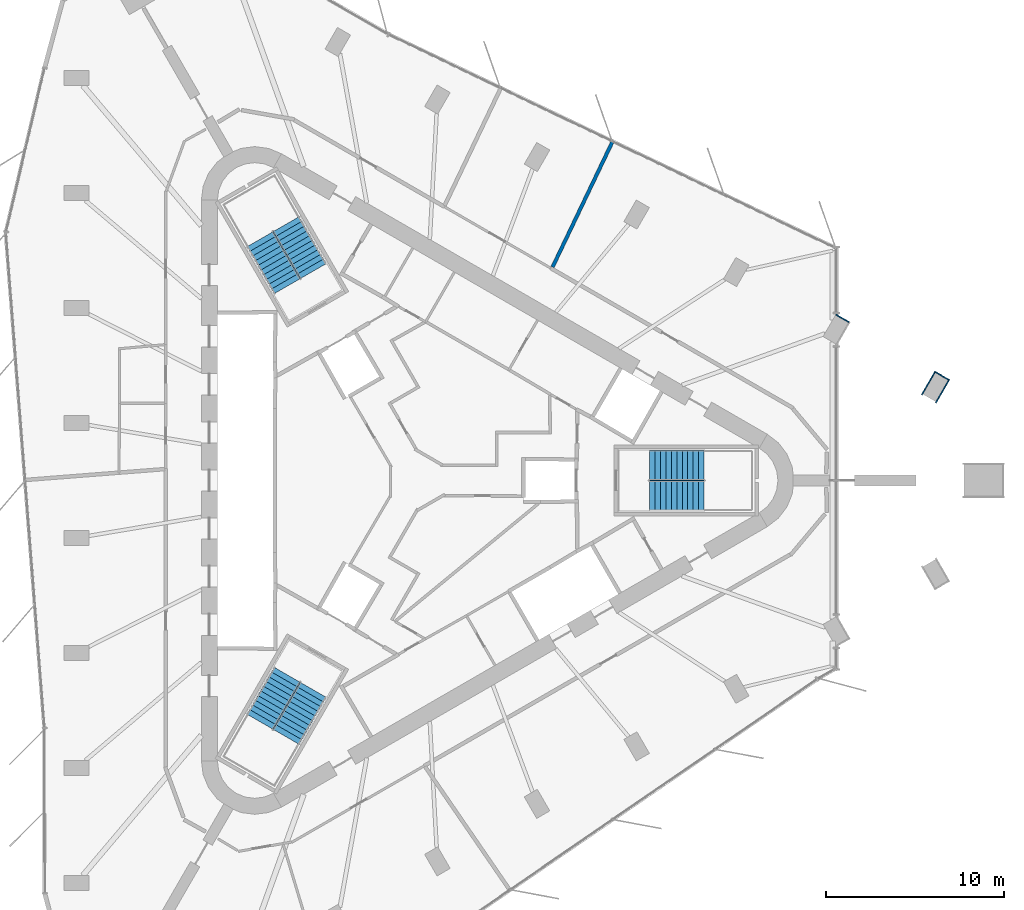
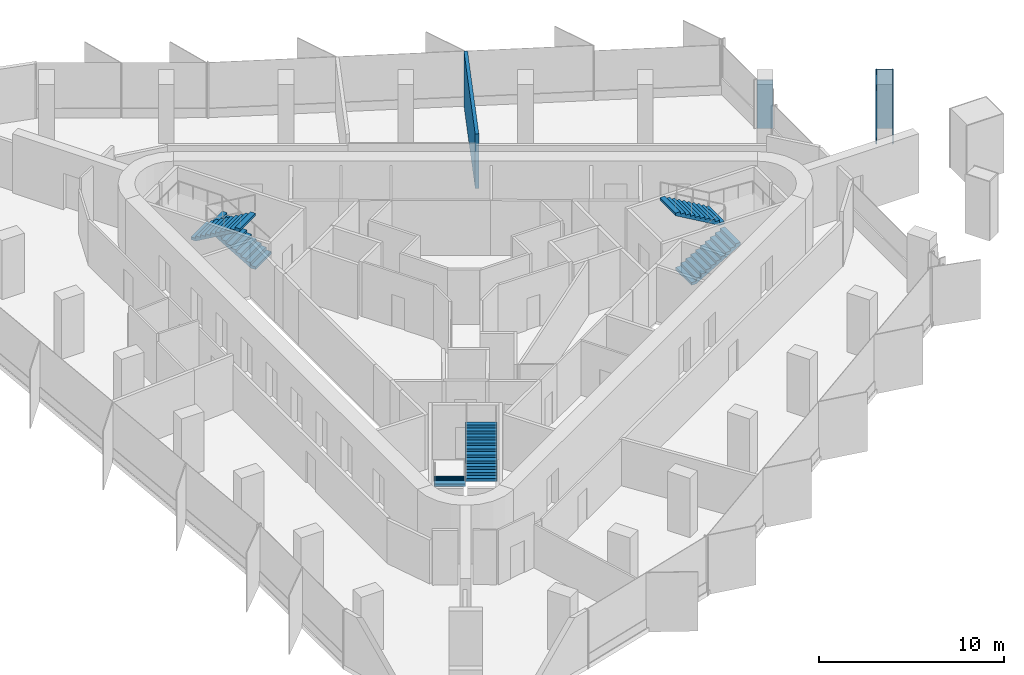
# One storey, part 11 of 12: 6 stair flights, 5 walls, 3 elements without a shape of their own.
"""IFC4 building model written with IfcOpenShell, lengths in metres."""

import ifcopenshell
import ifcopenshell.guid

model = None  # the IFC model being written
_history = None  # IfcOwnerHistory: only IFC2X3 demands one
_inside = {}  # id of a spatial element -> (the spatial element, [elements in it])
_under = {}  # id of a project, library or spatial element -> (it, [spatial elements below it])
_declared = {}  # id of a project -> (the project, [libraries it declares])
_typed = {}  # id of a type object -> (the type object, [elements of that type])
_made_of = {}  # id of a material, layer set ... -> (it, [elements and type objects made of it])


def new_model(schema):
    """Start an empty IFC model of exactly this schema.

    Asked for "IFC4X3", IfcOpenShell would pick the latest addendum, in which some entities
    have other attributes; the version numbers below select the first issue.
    IFC2X3 requires an IfcOwnerHistory on every rooted entity: one is made here for all.
    """
    global model, _history
    if schema == "IFC4X3":
        model = ifcopenshell.file(schema_version=(4, 3, 0, 0))
    else:
        model = ifcopenshell.file(schema=schema)
    _inside.clear()
    _under.clear()
    _declared.clear()
    _typed.clear()
    _made_of.clear()
    _history = None
    if model.schema == "IFC2X3":
        org = make("IfcOrganization", Name="unknown")
        user = make(
            "IfcPersonAndOrganization",
            ThePerson=make("IfcPerson", FamilyName="unknown"),
            TheOrganization=org,
        )
        app = make(
            "IfcApplication",
            ApplicationDeveloper=org,
            Version="unknown",
            ApplicationFullName="unknown",
            ApplicationIdentifier="unknown",
        )
        _history = make(
            "IfcOwnerHistory",
            OwningUser=user,
            OwningApplication=app,
            ChangeAction="ADDED",
            CreationDate=0,
        )
    return model


def make(cls, **values):
    """One entity of the class cls with the attributes given. An attribute that is None is left unset."""
    return model.create_entity(
        cls, **{name: value for name, value in values.items() if value is not None}
    )


def rooted(cls, **values):
    """An entity with a GlobalId (a new one), such as an element, a storey or a relation."""
    return make(cls, GlobalId=ifcopenshell.guid.new(), OwnerHistory=_history, **values)


def si_unit(unit_type, name, prefix=None):
    """IfcSIUnit, for example si_unit("LENGTHUNIT", "METRE", prefix="MILLI")."""
    return make("IfcSIUnit", UnitType=unit_type, Prefix=prefix, Name=name)


def assignment(units):
    """IfcUnitAssignment: the units of a project."""
    return None if units is None else make("IfcUnitAssignment", Units=units)


def point(xyz):
    """IfcCartesianPoint."""
    return None if xyz is None else make("IfcCartesianPoint", Coordinates=xyz)


def direction(xyz):
    """IfcDirection."""
    return None if xyz is None else make("IfcDirection", DirectionRatios=xyz)


def frame(location, z_axis=None, x_axis=None):
    """IfcAxis2Placement3D, a coordinate frame: its origin and axes. An axis left out is left unset."""
    return make(
        "IfcAxis2Placement3D",
        Location=point(location),
        Axis=direction(z_axis),
        RefDirection=direction(x_axis),
    )


def frame_2d(location, x_axis=None):
    """IfcAxis2Placement2D, a coordinate frame in the plane: its origin and x axis."""
    return make(
        "IfcAxis2Placement2D", Location=point(location), RefDirection=direction(x_axis)
    )


def origin():
    """The frame at (0, 0, 0) with its axes left unset."""
    return frame((0.0, 0.0, 0.0))


def place(relative_to, where):
    """IfcLocalPlacement: puts the frame where relative to a parent placement (None: the world)."""
    return make(
        "IfcLocalPlacement", PlacementRelTo=relative_to, RelativePlacement=where
    )


def context(
    kind, dimensions, precision=None, world=None, true_north=None, identifier=None
):
    """IfcGeometricRepresentationContext, for example the 3D "Model" context."""
    return make(
        "IfcGeometricRepresentationContext",
        ContextIdentifier=identifier,
        ContextType=kind,
        CoordinateSpaceDimension=dimensions,
        Precision=precision,
        WorldCoordinateSystem=world,
        TrueNorth=true_north,
    )


def subcontext(parent, identifier, kind, view, scale=None):
    """IfcGeometricRepresentationSubContext, for example "Body" below "Model"."""
    return make(
        "IfcGeometricRepresentationSubContext",
        ContextIdentifier=identifier,
        ContextType=kind,
        ParentContext=parent,
        TargetScale=scale,
        TargetView=view,
    )


def project(units=None, contexts=None):
    """IfcProject with its units and contexts."""
    return rooted(
        "IfcProject",
        Name="project",
        RepresentationContexts=contexts,
        UnitsInContext=assignment(units),
    )


def spatial(cls, under=None, at=None, **own):
    """A site, building, storey or space (cls), placed at a placement, below another one or the project."""
    s = rooted(cls, ObjectPlacement=at, **own)
    if under is not None:
        _under.setdefault(under.id(), (under, []))[1].append(s)
    return s


def polyline(points):
    """IfcPolyline through the points."""
    return make("IfcPolyline", Points=[point(p) for p in points])


def profile(cls, at=None, kind="AREA", **sizes):
    """A parametric profile (cls). Its sizes go by their IFC names, for example OverallWidth=200.0."""
    return make(cls, ProfileType=kind, Position=at, **sizes)


def rectangle(**sizes):
    """IfcRectangleProfileDef."""
    return profile("IfcRectangleProfileDef", **sizes)


def outline(outer, holes=None, kind="AREA"):
    """IfcArbitraryClosedProfileDef: a profile drawn as a closed curve; with holes, ...WithVoids."""
    if holes is None:
        return make("IfcArbitraryClosedProfileDef", ProfileType=kind, OuterCurve=outer)
    return make(
        "IfcArbitraryProfileDefWithVoids",
        ProfileType=kind,
        OuterCurve=outer,
        InnerCurves=holes,
    )


def extrude(swept, where, along, depth):
    """IfcExtrudedAreaSolid: the profile swept, set in the frame where, extruded along a direction by depth."""
    return make(
        "IfcExtrudedAreaSolid",
        SweptArea=swept,
        Position=where,
        ExtrudedDirection=direction(along),
        Depth=depth,
    )


def shape(context_of_items, identifier, shape_type, items):
    """IfcShapeRepresentation: the items that make up one representation, for example the "Body"."""
    return make(
        "IfcShapeRepresentation",
        ContextOfItems=context_of_items,
        RepresentationIdentifier=identifier,
        RepresentationType=shape_type,
        Items=items,
    )


def material(Name=None, Category=None):
    """IfcMaterial."""
    return make("IfcMaterial", Name=Name, Category=Category)


def layer(
    of_material, thickness, ventilated=None, Name=None, Category=None, Priority=None
):
    """IfcMaterialLayer: one layer of a wall or slab, of a material (None: an air gap)."""
    return make(
        "IfcMaterialLayer",
        Material=of_material,
        LayerThickness=thickness,
        IsVentilated=ventilated,
        Name=Name,
        Category=Category,
        Priority=Priority,
    )


def layer_set(layers, Name=None):
    """IfcMaterialLayerSet."""
    return make("IfcMaterialLayerSet", MaterialLayers=layers, LayerSetName=Name)


def made_of(thing, what):
    """Note that an element or type object is made of a material, layer set ...; save() writes the relation."""
    if what is not None:
        _made_of.setdefault(what.id(), (what, []))[1].append(thing)
    return thing


def type_object(cls, material=None, **own):
    """A type object (cls), such as IfcWallType, which elements share."""
    return made_of(rooted(cls, **own), material)


def element(
    cls,
    number,
    at=None,
    inside=None,
    cuts=None,
    type_object=None,
    material=None,
    context=None,
    identifier="Body",
    shape_type=None,
    held_by="IfcProductDefinitionShape",
    body=None,
    shapes=None,
    **own,
):
    """One element of the class cls, such as IfcWall. Its Tag is "e" and its number.

    at: its placement. inside: the storey or other place that contains it. cuts: it is an
    opening in that element (IfcRelVoidsElement). A single representation is given by context,
    identifier, shape_type and body (its items); several are given by shapes. held_by: the class
    of the entity that holds the representations. save() writes the other relations.
    """
    e = rooted(cls, Tag="e%d" % number, ObjectPlacement=at, **own)
    if body is not None:
        shapes = [shape(context, identifier, shape_type, body)]
    if shapes is not None:
        e.Representation = make(held_by, Representations=shapes)
    if inside is not None:
        _inside.setdefault(inside.id(), (inside, []))[1].append(e)
    if cuts is not None:
        rooted(
            "IfcRelVoidsElement", RelatingBuildingElement=cuts, RelatedOpeningElement=e
        )
    if type_object is not None:
        _typed.setdefault(type_object.id(), (type_object, []))[1].append(e)
    return made_of(e, material)


def aggregate(whole, parts):
    """IfcRelAggregates: a whole, such as a stair, and the parts it consists of."""
    return rooted("IfcRelAggregates", RelatingObject=whole, RelatedObjects=parts)


def save(model, path):
    """Write the relations noted so far, then the file.

    IfcRelAggregates (storeys below a building ...), IfcRelContainedInSpatialStructure (elements
    in a storey), IfcRelDefinesByType, IfcRelAssociatesMaterial and IfcRelDeclares: one each for
    every whole, place, type object, material and project.
    """
    for whole, parts in _under.values():
        aggregate(whole, parts)
    for where, things in _inside.values():
        rooted(
            "IfcRelContainedInSpatialStructure",
            RelatedElements=things,
            RelatingStructure=where,
        )
    for kind, things in _typed.values():
        rooted("IfcRelDefinesByType", RelatedObjects=things, RelatingType=kind)
    for what, things in _made_of.values():
        rooted("IfcRelAssociatesMaterial", RelatedObjects=things, RelatingMaterial=what)
    for by, libraries in _declared.values():
        rooted("IfcRelDeclares", RelatingContext=by, RelatedDefinitions=libraries)
    model.write(path)


model = new_model("IFC4")

# Units and contexts
model_context = context("Model", 3, precision=1e-05, world=origin(), true_north=direction((0.0, 1.0)))
body_context = subcontext(model_context, "Body", "Model", "MODEL_VIEW")
ifc_project = project(units=[si_unit("LENGTHUNIT", "METRE"), si_unit("AREAUNIT", "SQUARE_METRE"), si_unit("VOLUMEUNIT", "CUBIC_METRE"), si_unit("PLANEANGLEUNIT", "RADIAN"), si_unit("MASSUNIT", "GRAM", prefix="KILO")], contexts=[model_context])

# Site, building, storey
site_placement = place(None, origin())
site = spatial("IfcSite", under=ifc_project, at=site_placement, CompositionType="ELEMENT")
building_placement = place(site_placement, origin())
building = spatial("IfcBuilding", under=site, at=building_placement, Name="Tanit Gate Tower", CompositionType="ELEMENT")
storey_placement = place(building_placement, frame((0.0, 0.0, 372.800048828125)))
storey = spatial("IfcBuildingStorey", under=building, at=storey_placement, Name="L85", CompositionType="ELEMENT", Elevation=372.800048828125)

# Walls
ifc_material_1 = material(Name="Bronze anodised aluminium cladding", Category="aluminium")
ifc_layer_1 = layer(ifc_material_1, 0.06005859375)
ifc_layer_set_1 = layer_set([ifc_layer_1], Name="Column casing bronze 60")
wall_type_1 = type_object("IfcWallType", Name="Column casing bronze 60", PredefinedType="SOLIDWALL", material=ifc_layer_set_1)
wall_1_placement = place(storey_placement, frame((28.378662109375, 4.81591796875, 0.0), z_axis=(0.0, 0.0, 1.0), x_axis=(0.500060803479, 0.865990296034, 0.0)))
element("IfcWall", 1, at=wall_1_placement, inside=storey, type_object=wall_type_1, Name="Column casing L85 P-NE1.L1", PredefinedType="SOLIDWALL", context=body_context, shape_type="SweptSolid", body=[
    extrude(rectangle(XDim=1.519775390625, YDim=0.06005859375, at=frame_2d((0.759765625, 0.0))), origin(), (0.0, 0.0, 1.0), 3.89990234375),
])
wall_2_placement = place(storey_placement, frame((29.16650390625, 4.36083984375, 0.0), z_axis=(0.0, 0.0, 1.0), x_axis=(0.499991248344, 0.866030456496, 0.0)))
element("IfcWall", 2, at=wall_2_placement, inside=storey, type_object=wall_type_1, Name="Column casing L85 P-NE1.L2", PredefinedType="SOLIDWALL", context=body_context, shape_type="SweptSolid", body=[
    extrude(rectangle(XDim=1.52001953125, YDim=0.06005859375, at=frame_2d((0.760009765625, 0.0))), origin(), (0.0, 0.0, 1.0), 3.89990234375),
])
wall_3_placement = place(storey_placement, frame((29.8857421875, 5.666259765625, 0.0), z_axis=(0.0, 0.0, 1.0), x_axis=(-0.866061263272, 0.499937884402, 0.0)))
element("IfcWall", 3, at=wall_3_placement, inside=storey, type_object=wall_type_1, Name="Column casing L85 P-NE1.S1", PredefinedType="SOLIDWALL", context=body_context, shape_type="SweptSolid", body=[
    extrude(rectangle(XDim=0.85009765625, YDim=0.06005859375, at=frame_2d((0.425048828125, 0.0))), origin(), (0.0, 0.0, 1.0), 3.89990234375),
])
wall_4_placement = place(storey_placement, frame((24.287841796875, 8.898193359375, 0.0), z_axis=(0.0, 0.0, 1.0), x_axis=(-0.866061263272, 0.499937884402, 0.0)))
element("IfcWall", 4, at=wall_4_placement, inside=storey, type_object=wall_type_1, Name="Column casing L85 P-NE2.S1", PredefinedType="SOLIDWALL", context=body_context, shape_type="SweptSolid", body=[
    extrude(rectangle(XDim=0.85009765625, YDim=0.06005859375, at=frame_2d((0.425048828125, 0.0))), origin(), (0.0, 0.0, 1.0), 3.2099609375),
])
ifc_material_2 = material(Name="Fire-rated gypsum board partition")
ifc_layer_2 = layer(ifc_material_2, 0.199951171875)
ifc_layer_set_2 = layer_set([ifc_layer_2], Name="INT-WALL-COMPARTMENT")
wall_type_2 = type_object("IfcWallType", Name="INT-WALL-COMPARTMENT", PredefinedType="PARTITIONING", material=ifc_layer_set_2)
wall_5_placement = place(storey_placement, frame((11.0068359375, 19.048828125, 0.0), z_axis=(0.0, 0.0, 1.0), x_axis=(-0.431190476359, -0.902260922958, 0.0)))
element("IfcWall", 5, at=wall_5_placement, inside=storey, type_object=wall_type_2, Name="Wall Compartment W117", PredefinedType="PARTITIONING", context=body_context, shape_type="SweptSolid", body=[
    extrude(rectangle(XDim=7.82373046875, YDim=0.199951171875, at=frame_2d((3.911865234375, 0.0))), origin(), (0.0, 0.0, 1.0), 3.599853515625),
])

# Stair, stair flights
ifc_material_3 = material(Name="Concrete C40/50", Category="concrete")
stair_type = type_object("IfcStairType", Name="INT-STAIR-EXIT", PredefinedType="HALF_TURN_STAIR", material=ifc_material_3)
stair_1_placement = place(storey_placement, origin())
stair_1 = element("IfcStair", 6, at=stair_1_placement, inside=storey, type_object=stair_type, Name="L85 STAIR S1", PredefinedType="HALF_TURN_STAIR")
ifc_material_4 = material(Name="Concrete C40/50", Category="concrete")
stair_flight_type = type_object("IfcStairFlightType", Name="INT-STAIR-FLIGHT", PredefinedType="STRAIGHT", material=ifc_material_4)
stair_flight_1_placement = place(storey_placement, frame((13.094970703125, -0.8525390625, 0.0), z_axis=(0.0, 0.0, 1.0), x_axis=(1.0, 0.0, 0.0)))
stair_flight_1 = element("IfcStairFlight", 7, at=stair_flight_1_placement, type_object=stair_flight_type, Name="S1 flight 1", NumberOfRisers=11, NumberOfTreads=10, PredefinedType="STRAIGHT", RiserHeight=0.177272727, TreadLength=0.3051, context=body_context, shape_type="SweptSolid", body=[
    extrude(outline(polyline([(0.0, 0.0), (0.0, 0.17724609375), (0.30517578125, 0.17724609375), (0.30517578125, 0.3544921875), (0.610107421875, 0.3544921875), (0.610107421875, 0.53173828125), (0.915283203125, 0.53173828125), (0.915283203125, 0.708984375), (1.220458984375, 0.708984375), (1.220458984375, 0.886474609375), (1.525390625, 0.886474609375), (1.525390625, 1.063720703125), (1.83056640625, 1.063720703125), (1.83056640625, 1.240966796875), (2.1357421875, 1.240966796875), (2.1357421875, 1.418212890625), (2.44091796875, 1.418212890625), (2.44091796875, 1.595458984375), (2.745849609375, 1.595458984375), (2.745849609375, 1.772705078125), (3.051025390625, 1.772705078125), (3.051025390625, 1.949951171875), (3.051025390625, 1.599365234375), (0.29833984375, 0.0), (0.0, 0.0)])), frame((0.0, 0.84765625, 0.0), z_axis=(0.0, -1.0, 0.0), x_axis=(1.0, 0.0, 0.0)), (0.0, 0.0, 1.0), 1.695068359375),
])
stair_flight_2_placement = place(storey_placement, frame((16.14599609375, 0.8525390625, 1.949951171875), z_axis=(0.0, 0.0, 1.0), x_axis=(-1.0, 0.0, 0.0)))
stair_flight_2 = element("IfcStairFlight", 8, at=stair_flight_2_placement, type_object=stair_flight_type, Name="S1 flight 2", NumberOfRisers=11, NumberOfTreads=10, PredefinedType="STRAIGHT", RiserHeight=0.177272727, TreadLength=0.3051, context=body_context, shape_type="SweptSolid", body=[
    extrude(outline(polyline([(0.0, 0.0), (0.0, 0.17724609375), (0.30517578125, 0.17724609375), (0.30517578125, 0.3544921875), (0.610107421875, 0.3544921875), (0.610107421875, 0.53173828125), (0.915283203125, 0.53173828125), (0.915283203125, 0.708984375), (1.220458984375, 0.708984375), (1.220458984375, 0.886474609375), (1.525390625, 0.886474609375), (1.525390625, 1.063720703125), (1.83056640625, 1.063720703125), (1.83056640625, 1.240966796875), (2.1357421875, 1.240966796875), (2.1357421875, 1.418212890625), (2.44091796875, 1.418212890625), (2.44091796875, 1.595458984375), (2.745849609375, 1.595458984375), (2.745849609375, 1.772705078125), (3.051025390625, 1.772705078125), (3.051025390625, 1.949951171875), (3.051025390625, 1.599365234375), (0.29833984375, 0.0), (0.0, 0.0)])), frame((0.0, 0.84765625, 0.0), z_axis=(0.0, -1.0, 0.0), x_axis=(1.0, 0.0, 0.0)), (0.0, 0.0, 1.0), 1.695068359375),
])
aggregate(stair_1, [stair_flight_1, stair_flight_2])

stair_2_placement = place(storey_placement, origin())
stair_2 = element("IfcStair", 9, at=stair_2_placement, inside=storey, type_object=stair_type, Name="L85 STAIR S2", PredefinedType="HALF_TURN_STAIR")
stair_flight_3_placement = place(storey_placement, frame((-5.808349609375, 11.766357421875, 0.0), z_axis=(0.0, 0.0, 1.0), x_axis=(-0.5, 0.866025403784, 0.0)))
stair_flight_3 = element("IfcStairFlight", 10, at=stair_flight_3_placement, type_object=stair_flight_type, Name="S2 flight 1", NumberOfRisers=11, NumberOfTreads=10, PredefinedType="STRAIGHT", RiserHeight=0.177272727, TreadLength=0.30492, context=body_context, shape_type="SweptSolid", body=[
    extrude(outline(polyline([(0.0, 0.0), (0.0, 0.17724609375), (0.304931640625, 0.17724609375), (0.304931640625, 0.3544921875), (0.60986328125, 0.3544921875), (0.60986328125, 0.53173828125), (0.914794921875, 0.53173828125), (0.914794921875, 0.708984375), (1.2197265625, 0.708984375), (1.2197265625, 0.886474609375), (1.524658203125, 0.886474609375), (1.524658203125, 1.063720703125), (1.82958984375, 1.063720703125), (1.82958984375, 1.240966796875), (2.134521484375, 1.240966796875), (2.134521484375, 1.418212890625), (2.439453125, 1.418212890625), (2.439453125, 1.595458984375), (2.744384765625, 1.595458984375), (2.744384765625, 1.772705078125), (3.04931640625, 1.772705078125), (3.04931640625, 1.949951171875), (3.04931640625, 1.599365234375), (0.29833984375, 0.0), (0.0, 0.0)])), frame((0.0, 0.84716796875, 0.0), z_axis=(0.0, -1.0, 0.0), x_axis=(1.0, 0.0, 0.0)), (0.0, 0.0, 1.0), 1.694091796875),
])
stair_flight_4_placement = place(storey_placement, frame((-8.810302734375, 13.553955078125, 1.949951171875), z_axis=(0.0, 0.0, 1.0), x_axis=(0.5, -0.866025403784, 0.0)))
stair_flight_4 = element("IfcStairFlight", 11, at=stair_flight_4_placement, type_object=stair_flight_type, Name="S2 flight 2", NumberOfRisers=11, NumberOfTreads=10, PredefinedType="STRAIGHT", RiserHeight=0.177272727, TreadLength=0.30492, context=body_context, shape_type="SweptSolid", body=[
    extrude(outline(polyline([(0.0, 0.0), (0.0, 0.17724609375), (0.304931640625, 0.17724609375), (0.304931640625, 0.3544921875), (0.60986328125, 0.3544921875), (0.60986328125, 0.53173828125), (0.914794921875, 0.53173828125), (0.914794921875, 0.708984375), (1.2197265625, 0.708984375), (1.2197265625, 0.886474609375), (1.524658203125, 0.886474609375), (1.524658203125, 1.063720703125), (1.82958984375, 1.063720703125), (1.82958984375, 1.240966796875), (2.134521484375, 1.240966796875), (2.134521484375, 1.418212890625), (2.439453125, 1.418212890625), (2.439453125, 1.595458984375), (2.744384765625, 1.595458984375), (2.744384765625, 1.772705078125), (3.04931640625, 1.772705078125), (3.04931640625, 1.949951171875), (3.04931640625, 1.599365234375), (0.29833984375, 0.0), (0.0, 0.0)])), frame((0.0, 0.84716796875, 0.0), z_axis=(0.0, -1.0, 0.0), x_axis=(1.0, 0.0, 0.0)), (0.0, 0.0, 1.0), 1.694091796875),
])
aggregate(stair_2, [stair_flight_3, stair_flight_4])

stair_3_placement = place(storey_placement, origin())
stair_3 = element("IfcStair", 12, at=stair_3_placement, inside=storey, type_object=stair_type, Name="L85 STAIR S3", PredefinedType="HALF_TURN_STAIR")
stair_flight_5_placement = place(storey_placement, frame((-7.285888671875, -10.914306640625, 0.0), z_axis=(0.0, 0.0, 1.0), x_axis=(-0.5, -0.866025403784, 0.0)))
stair_flight_5 = element("IfcStairFlight", 13, at=stair_flight_5_placement, type_object=stair_flight_type, Name="S3 flight 1", NumberOfRisers=11, NumberOfTreads=10, PredefinedType="STRAIGHT", RiserHeight=0.177272727, TreadLength=0.3051, context=body_context, shape_type="SweptSolid", body=[
    extrude(outline(polyline([(0.0, 0.0), (0.0, 0.17724609375), (0.30517578125, 0.17724609375), (0.30517578125, 0.3544921875), (0.610107421875, 0.3544921875), (0.610107421875, 0.53173828125), (0.915283203125, 0.53173828125), (0.915283203125, 0.708984375), (1.220458984375, 0.708984375), (1.220458984375, 0.886474609375), (1.525390625, 0.886474609375), (1.525390625, 1.063720703125), (1.83056640625, 1.063720703125), (1.83056640625, 1.240966796875), (2.1357421875, 1.240966796875), (2.1357421875, 1.418212890625), (2.44091796875, 1.418212890625), (2.44091796875, 1.595458984375), (2.745849609375, 1.595458984375), (2.745849609375, 1.772705078125), (3.051025390625, 1.772705078125), (3.051025390625, 1.949951171875), (3.051025390625, 1.599365234375), (0.29833984375, 0.0), (0.0, 0.0)])), frame((0.0, 0.84765625, 0.0), z_axis=(0.0, -1.0, 0.0), x_axis=(1.0, 0.0, 0.0)), (0.0, 0.0, 1.0), 1.695068359375),
])
stair_flight_6_placement = place(storey_placement, frame((-7.334716796875, -14.4091796875, 1.949951171875), z_axis=(0.0, 0.0, 1.0), x_axis=(0.5, 0.866025403784, 0.0)))
stair_flight_6 = element("IfcStairFlight", 14, at=stair_flight_6_placement, type_object=stair_flight_type, Name="S3 flight 2", NumberOfRisers=11, NumberOfTreads=10, PredefinedType="STRAIGHT", RiserHeight=0.177272727, TreadLength=0.3051, context=body_context, shape_type="SweptSolid", body=[
    extrude(outline(polyline([(0.0, 0.0), (0.0, 0.17724609375), (0.30517578125, 0.17724609375), (0.30517578125, 0.3544921875), (0.610107421875, 0.3544921875), (0.610107421875, 0.53173828125), (0.915283203125, 0.53173828125), (0.915283203125, 0.708984375), (1.220458984375, 0.708984375), (1.220458984375, 0.886474609375), (1.525390625, 0.886474609375), (1.525390625, 1.063720703125), (1.83056640625, 1.063720703125), (1.83056640625, 1.240966796875), (2.1357421875, 1.240966796875), (2.1357421875, 1.418212890625), (2.44091796875, 1.418212890625), (2.44091796875, 1.595458984375), (2.745849609375, 1.595458984375), (2.745849609375, 1.772705078125), (3.051025390625, 1.772705078125), (3.051025390625, 1.949951171875), (3.051025390625, 1.599365234375), (0.29833984375, 0.0), (0.0, 0.0)])), frame((0.0, 0.84765625, 0.0), z_axis=(0.0, -1.0, 0.0), x_axis=(1.0, 0.0, 0.0)), (0.0, 0.0, 1.0), 1.695068359375),
])
aggregate(stair_3, [stair_flight_5, stair_flight_6])

save(model, "model.ifc")
